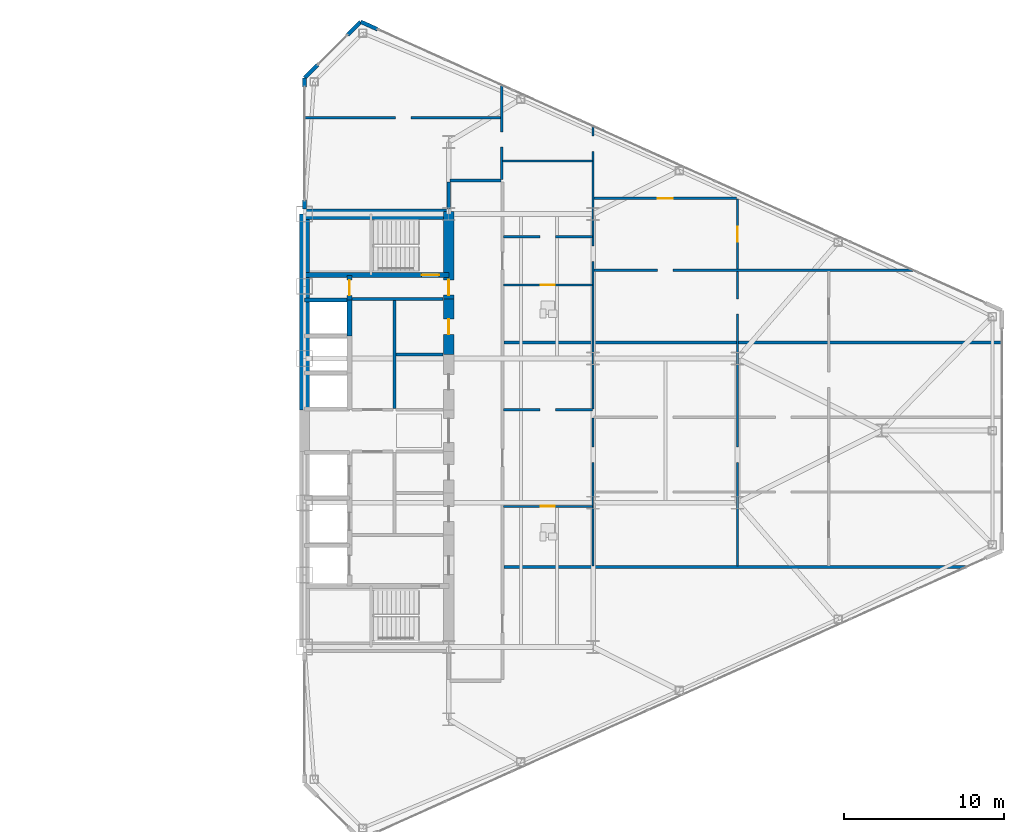
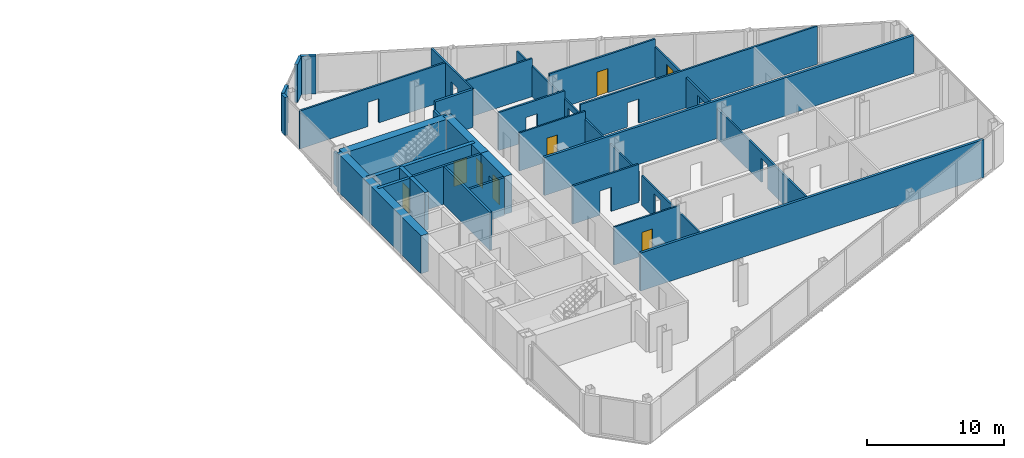
# One storey, part 23 of 27: 32 walls, 8 doors, 18 openings.
"""IFC4 building model written with IfcOpenShell, lengths in metres."""

from ifc_helpers import new_model, si_unit, direction, frame, frame_2d, origin, place, context, subcontext, project, spatial, rectangle, extrude, source, transform, mapped, material, layer, layer_set, type_object, type_shapes, element, fill, save


model = new_model("IFC4")

# Units and contexts
model_context = context("Model", 3, precision=1e-05, world=origin(), true_north=direction((0.0, 1.0)))
body_context = subcontext(model_context, "Body", "Model", "MODEL_VIEW")
ifc_project = project(units=[si_unit("LENGTHUNIT", "METRE"), si_unit("AREAUNIT", "SQUARE_METRE"), si_unit("VOLUMEUNIT", "CUBIC_METRE"), si_unit("PLANEANGLEUNIT", "RADIAN"), si_unit("MASSUNIT", "GRAM", prefix="KILO")], contexts=[model_context])

# Site, building, storey
site_placement = place(None, origin())
site = spatial("IfcSite", under=ifc_project, at=site_placement, CompositionType="ELEMENT")
building_placement = place(site_placement, origin())
building = spatial("IfcBuilding", under=site, at=building_placement, Name="Seokmaru Belvedere", CompositionType="ELEMENT")
storey_placement = place(building_placement, frame((0.0, 0.0, 69.300048828125)))
storey = spatial("IfcBuildingStorey", under=building, at=storey_placement, Name="L18", CompositionType="ELEMENT", Elevation=69.300048828125)

# Wall, opening
ifc_material_1 = material(Name="Fire-Rated Gypsum Shaftwall")
ifc_layer_1 = layer(ifc_material_1, 0.14990234375)
ifc_layer_set_1 = layer_set([ifc_layer_1], Name="Fire-Rated Gypsum Shaftwall")
wall_type_1 = type_object("IfcWallType", Name="Apartment Fire-Acoustic Room Partition 150", PredefinedType="PARTITIONING", material=ifc_layer_set_1)
wall_1_placement = place(storey_placement, frame((39.89990234375, 1.300048828125, 0.0), z_axis=(0.0, 0.0, 1.0), x_axis=(1.0, 0.0, 0.0)))
wall_1 = element("IfcWall", 1, at=wall_1_placement, inside=storey, type_object=wall_type_1, Name="L18 Interior Partition 016", PredefinedType="PARTITIONING", context=body_context, shape_type="SweptSolid", body=[
    extrude(rectangle(XDim=5.550048828125, YDim=0.14990234375, at=frame_2d((2.77490234375, 0.0))), origin(), (0.0, 0.0, 1.0), 3.3798828125),
])
opening_1_placement = place(wall_1_placement, frame((2.300048828125, 0.0, 0.0)))
element("IfcOpeningElement", 2, at=opening_1_placement, cuts=wall_1, Name="L18 Cased Opening 036", PredefinedType="OPENING", context=body_context, shape_type="SweptSolid", body=[
    extrude(rectangle(XDim=0.949951171875, YDim=2.14990234375, at=frame_2d((0.47509765625, 1.074951171875))), frame((0.0, 0.0849609375, 0.0), z_axis=(0.0, -1.0, 0.0), x_axis=(1.0, 0.0, 0.0)), (0.0, 0.0, 1.0), 0.169921875),
])

wall_2_placement = place(storey_placement, frame((45.550048828125, 9.989990234375, 0.0), z_axis=(0.0, 0.0, 1.0), x_axis=(1.0, 0.0, 0.0)))
wall_2 = element("IfcWall", 3, at=wall_2_placement, inside=storey, type_object=wall_type_1, Name="L18 Interior Partition 022", PredefinedType="PARTITIONING", context=body_context, shape_type="SweptSolid", body=[
    extrude(rectangle(XDim=19.947998046875, YDim=0.14990234375, at=frame_2d((9.97412109375, 0.0))), origin(), (0.0, 0.0, 1.0), 3.3798828125),
])
opening_2_placement = place(wall_2_placement, frame((3.97509765625, 0.0, 0.0)))
element("IfcOpeningElement", 4, at=opening_2_placement, cuts=wall_2, Name="L18 Cased Opening 051", PredefinedType="OPENING", context=body_context, shape_type="SweptSolid", body=[
    extrude(rectangle(XDim=0.949951171875, YDim=2.14990234375, at=frame_2d((0.47509765625, 1.074951171875))), frame((0.0, 0.0849609375, 0.0), z_axis=(0.0, -1.0, 0.0), x_axis=(1.0, 0.0, 0.0)), (0.0, 0.0, 1.0), 0.169921875),
])

wall_3_placement = place(storey_placement, frame((39.89990234375, 12.080078125, 0.0), z_axis=(0.0, 0.0, 1.0), x_axis=(1.0, 0.0, 0.0)))
wall_3 = element("IfcWall", 5, at=wall_3_placement, inside=storey, type_object=wall_type_1, Name="L18 Interior Partition 024", PredefinedType="PARTITIONING", context=body_context, shape_type="SweptSolid", body=[
    extrude(rectangle(XDim=5.550048828125, YDim=0.14990234375, at=frame_2d((2.77490234375, 0.0))), origin(), (0.0, 0.0, 1.0), 3.3798828125),
])
opening_3_placement = place(wall_3_placement, frame((2.300048828125, 0.0, 0.0)))
element("IfcOpeningElement", 6, at=opening_3_placement, cuts=wall_3, Name="L18 Cased Opening 048", PredefinedType="OPENING", context=body_context, shape_type="SweptSolid", body=[
    extrude(rectangle(XDim=0.949951171875, YDim=2.14990234375, at=frame_2d((0.47509765625, 1.074951171875))), frame((0.0, 0.0849609375, 0.0), z_axis=(0.0, -1.0, 0.0), x_axis=(1.0, 0.0, 0.0)), (0.0, 0.0, 1.0), 0.169921875),
])

# Wall, opening, door
wall_4_placement = place(storey_placement, frame((45.550048828125, 14.47998046875, 0.0), z_axis=(0.0, 0.0, 1.0), x_axis=(1.0, 0.0, 0.0)))
wall_4 = element("IfcWall", 7, at=wall_4_placement, inside=storey, type_object=wall_type_1, Name="L18 Interior Partition 026", PredefinedType="PARTITIONING", context=body_context, shape_type="SweptSolid", body=[
    extrude(rectangle(XDim=8.89990234375, YDim=0.14990234375, at=frame_2d((4.449951171875, 0.0))), origin(), (0.0, 0.0, 1.0), 3.3798828125),
])
opening_4_placement = place(wall_4_placement, frame((3.97509765625, 0.0, 0.0)))
opening_4 = element("IfcOpeningElement", 8, at=opening_4_placement, cuts=wall_4, Name="Opening D05", PredefinedType="OPENING", context=body_context, shape_type="SweptSolid", body=[
    extrude(rectangle(XDim=0.949951171875, YDim=2.14990234375, at=frame_2d((0.47509765625, 1.074951171875))), frame((0.0, 0.0849609375, 0.0), z_axis=(0.0, -1.0, 0.0), x_axis=(1.0, 0.0, 0.0)), (0.0, 0.0, 1.0), 0.169921875),
])
ifc_material_2 = material(Name="Engineered White Oak Timber", Category="wood")
door_type_1 = type_object("IfcDoorType", Name="Apartment Interior Fire-Rated Oak Door 950x2150", OperationType="NOTDEFINED", PredefinedType="DOOR", material=ifc_material_2)
shared_shape_1 = source(origin(), body_context, "Body", "SweptSolid", [
    extrude(rectangle(XDim=0.949951171875, YDim=2.14990234375, at=frame_2d((0.47509765625, 1.074951171875))), frame((0.0, 0.02490234375, 0.0), z_axis=(0.0, -1.0, 0.0), x_axis=(1.0, 0.0, 0.0)), (0.0, 0.0, 1.0), 0.050048828125),
])
type_shapes(door_type_1, [shared_shape_1])
door_1_placement = place(opening_4_placement, origin())
door_1 = element("IfcDoor", 9, at=door_1_placement, inside=storey, type_object=door_type_1, Name="L18 Interior Door 052", OperationType="SINGLE_SWING_LEFT", OverallHeight=2.14990234375, OverallWidth=0.949951171875, PredefinedType="DOOR", context=body_context, shape_type="MappedRepresentation", body=[
    mapped(shared_shape_1, transform((0.0, 0.0, 0.0), scale=1.0)),
])
fill(opening_4, door_1)

# Wall
wall_5_placement = place(storey_placement, frame((39.85009765625, 16.81005859375, 0.0), z_axis=(0.0, 0.0, 1.0), x_axis=(1.0, 0.0, 0.0)))
element("IfcWall", 10, at=wall_5_placement, inside=storey, type_object=wall_type_1, Name="L18 Interior Partition 029", PredefinedType="PARTITIONING", context=body_context, shape_type="SweptSolid", body=[
    extrude(rectangle(XDim=5.599853515625, YDim=0.14990234375, at=frame_2d((2.7998046875, 0.0))), origin(), (0.0, 0.0, 1.0), 3.3798828125),
])

# Wall, opening
wall_6_placement = place(storey_placement, frame((27.465087890625, 19.5, 0.0), z_axis=(0.0, 0.0, 1.0), x_axis=(1.0, 0.0, 0.0)))
wall_6 = element("IfcWall", 11, at=wall_6_placement, inside=storey, type_object=wall_type_1, Name="L18 Interior Partition 032", PredefinedType="PARTITIONING", context=body_context, shape_type="SweptSolid", body=[
    extrude(rectangle(XDim=12.284912109375, YDim=0.14990234375, at=frame_2d((6.142578125, 0.0))), origin(), (0.0, 0.0, 1.0), 3.3798828125),
])
opening_5_placement = place(wall_6_placement, frame((5.7099609375, 0.0, 0.0)))
element("IfcOpeningElement", 12, at=opening_5_placement, cuts=wall_6, Name="L18 Cased Opening 057", PredefinedType="OPENING", context=body_context, shape_type="SweptSolid", body=[
    extrude(rectangle(XDim=0.949951171875, YDim=2.14990234375, at=frame_2d((0.47509765625, 1.074951171875))), frame((0.0, 0.0849609375, 0.0), z_axis=(0.0, -1.0, 0.0), x_axis=(1.0, 0.0, 0.0)), (0.0, 0.0, 1.0), 0.169921875),
])

wall_7_placement = place(storey_placement, frame((39.800048828125, 15.64990234375, 0.0), z_axis=(0.0, 0.0, 1.0), x_axis=(0.0, 1.0, 0.0)))
wall_7 = element("IfcWall", 13, at=wall_7_placement, inside=storey, type_object=wall_type_1, Name="L18 Interior Partition 045", PredefinedType="PARTITIONING", context=body_context, shape_type="SweptSolid", body=[
    extrude(rectangle(XDim=5.925048828125, YDim=0.14990234375, at=frame_2d((2.96240234375, 0.0))), origin(), (0.0, 0.0, 1.0), 3.3798828125),
])
opening_6_placement = place(wall_7_placement, frame((2.029296875, 0.0, 0.0)))
element("IfcOpeningElement", 14, at=opening_6_placement, cuts=wall_7, Name="L18 Cased Opening 056", PredefinedType="OPENING", context=body_context, shape_type="SweptSolid", body=[
    extrude(rectangle(XDim=0.949951171875, YDim=2.14990234375, at=frame_2d((0.47509765625, 1.074951171875))), frame((0.0, 0.0849609375, 0.0), z_axis=(0.0, -1.0, 0.0), x_axis=(1.0, 0.0, 0.0)), (0.0, 0.0, 1.0), 0.169921875),
])

# Wall, openings, door
wall_8_placement = place(storey_placement, frame((54.5, -8.449951171875, 0.0), z_axis=(0.0, 0.0, 1.0), x_axis=(0.0, 1.0, 0.0)))
wall_8 = element("IfcWall", 15, at=wall_8_placement, inside=storey, type_object=wall_type_1, Name="L18 Interior Partition 049", PredefinedType="PARTITIONING", context=body_context, shape_type="SweptSolid", body=[
    extrude(rectangle(XDim=22.883056640625, YDim=0.14990234375, at=frame_2d((11.44140625, 0.0))), origin(), (0.0, 0.0, 1.0), 2.679931640625),
])
opening_7_placement = place(wall_8_placement, frame((6.47509765625, 0.0, 0.0)))
element("IfcOpeningElement", 16, at=opening_7_placement, cuts=wall_8, Name="L18 Cased Opening 038", PredefinedType="OPENING", context=body_context, shape_type="SweptSolid", body=[
    extrude(rectangle(XDim=0.949951171875, YDim=2.14990234375, at=frame_2d((0.47509765625, 1.074951171875))), frame((0.0, 0.0849609375, 0.0), z_axis=(0.0, -1.0, 0.0), x_axis=(1.0, 0.0, 0.0)), (0.0, 0.0, 1.0), 0.169921875),
])
opening_8_placement = place(wall_8_placement, frame((20.21240234375, 0.0, 0.0)))
opening_8 = element("IfcOpeningElement", 17, at=opening_8_placement, cuts=wall_8, Name="Opening D05", PredefinedType="OPENING", context=body_context, shape_type="SweptSolid", body=[
    extrude(rectangle(XDim=0.949951171875, YDim=2.14990234375, at=frame_2d((0.47509765625, 1.074951171875))), frame((0.0, 0.0849609375, 0.0), z_axis=(0.0, -1.0, 0.0), x_axis=(1.0, 0.0, 0.0)), (0.0, 0.0, 1.0), 0.169921875),
])
opening_9_placement = place(wall_8_placement, frame((15.720947265625, 0.0, 0.0)))
element("IfcOpeningElement", 18, at=opening_9_placement, cuts=wall_8, Name="L18 Cased Opening 053", PredefinedType="OPENING", context=body_context, shape_type="SweptSolid", body=[
    extrude(rectangle(XDim=0.949951171875, YDim=2.14990234375, at=frame_2d((0.47509765625, 1.074951171875))), frame((0.0, 0.0849609375, 0.0), z_axis=(0.0, -1.0, 0.0), x_axis=(1.0, 0.0, 0.0)), (0.0, 0.0, 1.0), 0.169921875),
])
door_2_placement = place(opening_8_placement, origin())
door_2 = element("IfcDoor", 19, at=door_2_placement, inside=storey, type_object=door_type_1, Name="L18 Interior Door 050", OperationType="SINGLE_SWING_LEFT", OverallHeight=2.14990234375, OverallWidth=0.949951171875, PredefinedType="DOOR", context=body_context, shape_type="MappedRepresentation", body=[
    mapped(shared_shape_1, transform((0.0, 0.0, 0.0), scale=1.0)),
])
fill(opening_8, door_2)

# Walls
ifc_layer_2 = layer(ifc_material_1, 0.179931640625)
ifc_layer_set_2 = layer_set([ifc_layer_2], Name="Fire-Rated Gypsum Shaftwall")
wall_type_2 = type_object("IfcWallType", Name="Core Service Fire Partition 180", PredefinedType="PARTITIONING", material=ifc_layer_set_2)
wall_9_placement = place(storey_placement, frame((30.449951171875, 8.199951171875, 0.0), z_axis=(0.0, 0.0, 1.0), x_axis=(1.0, 0.0, 0.0)))
element("IfcWall", 20, at=wall_9_placement, inside=storey, type_object=wall_type_2, Name="L18 East Smokeproof Vestibule Partition", PredefinedType="PARTITIONING", context=body_context, shape_type="SweptSolid", body=[
    extrude(rectangle(XDim=5.699951171875, YDim=0.179931640625, at=frame_2d((2.85009765625, 0.0))), origin(), (0.0, 0.0, 1.0), 3.3798828125),
])
wall_10_placement = place(storey_placement, frame((33.10009765625, 1.3798828125, 0.0), z_axis=(0.0, 0.0, 1.0), x_axis=(0.0, 1.0, 0.0)))
element("IfcWall", 21, at=wall_10_placement, inside=storey, type_object=wall_type_2, Name="L18 East North Core Service Back Wall", PredefinedType="PARTITIONING", context=body_context, shape_type="SweptSolid", body=[
    extrude(rectangle(XDim=6.740234375, YDim=0.179931640625, at=frame_2d((3.3701171875, 0.0))), origin(), (0.0, 0.0, 1.0), 3.3798828125),
])
wall_11_placement = place(storey_placement, frame((33.199951171875, 4.75, 0.0), z_axis=(0.0, 0.0, 1.0), x_axis=(1.0, 0.0, 0.0)))
element("IfcWall", 22, at=wall_11_placement, inside=storey, type_object=wall_type_2, Name="L18 East Core Service Partition 2", PredefinedType="PARTITIONING", context=body_context, shape_type="SweptSolid", body=[
    extrude(rectangle(XDim=2.949951171875, YDim=0.179931640625, at=frame_2d((1.47509765625, 0.0))), origin(), (0.0, 0.0, 1.0), 3.3798828125),
])
ifc_material_3 = material(Name="Concrete C50 (50 MPa)", Category="concrete")
ifc_layer_3 = layer(ifc_material_3, 0.25)
ifc_layer_set_3 = layer_set([ifc_layer_3], Name="Concrete C50 (50 MPa)")
wall_type_3 = type_object("IfcWallType", Name="Hoistway Transverse Concrete Divider Wall 250", PredefinedType="SHEAR", material=ifc_layer_set_3)
wall_12_placement = place(storey_placement, frame((27.5, 8.14990234375, 0.0), z_axis=(0.0, 0.0, 1.0), x_axis=(1.0, 0.0, 0.0)))
element("IfcWall", 23, at=wall_12_placement, inside=storey, type_object=wall_type_3, Name="L18 East Hoistway Divider Core Wall 7", PredefinedType="SHEAR", context=body_context, shape_type="SweptSolid", body=[
    extrude(rectangle(XDim=2.800048828125, YDim=0.25, at=frame_2d((1.39990234375, 0.0))), origin(), (0.0, 0.0, 1.0), 3.3798828125),
])
ifc_layer_4 = layer(ifc_material_1, 0.199951171875)
ifc_layer_set_4 = layer_set([ifc_layer_4], Name="Fire-Rated Gypsum Shaftwall")
wall_type_4 = type_object("IfcWallType", Name="Inter-Tenancy Fire Compartment Partition 200", PredefinedType="PARTITIONING", material=ifc_layer_set_4)
wall_13_placement = place(storey_placement, frame((39.929931640625, -8.5, 0.0), z_axis=(0.0, 0.0, 1.0), x_axis=(1.0, 0.0, 0.0)))
element("IfcWall", 24, at=wall_13_placement, inside=storey, type_object=wall_type_4, Name="L18 Interior Partition 008", PredefinedType="PARTITIONING", context=body_context, shape_type="SweptSolid", body=[
    extrude(rectangle(XDim=28.860107421875, YDim=0.199951171875, at=frame_2d((14.43017578125, 0.0))), origin(), (0.0, 0.0, 1.0), 3.3798828125),
])
wall_14_placement = place(storey_placement, frame((39.929931640625, 5.5, 0.0), z_axis=(0.0, 0.0, 1.0), x_axis=(1.0, 0.0, 0.0)))
element("IfcWall", 25, at=wall_14_placement, inside=storey, type_object=wall_type_4, Name="L18 Interior Partition 018", PredefinedType="PARTITIONING", context=body_context, shape_type="SweptSolid", body=[
    extrude(rectangle(XDim=31.074951171875, YDim=0.199951171875, at=frame_2d((15.53759765625, 0.0))), origin(), (0.0, 0.0, 1.0), 3.3798828125),
])
wall_15_placement = place(storey_placement, frame((36.5849609375, 15.60009765625, 0.0), z_axis=(0.0, 0.0, 1.0), x_axis=(1.0, 0.0, 0.0)))
element("IfcWall", 26, at=wall_15_placement, inside=storey, type_object=wall_type_4, Name="L18 Interior Partition 028", PredefinedType="PARTITIONING", context=body_context, shape_type="SweptSolid", body=[
    extrude(rectangle(XDim=3.179931640625, YDim=0.199951171875, at=frame_2d((1.58984375, 0.0))), origin(), (0.0, 0.0, 1.0), 3.3798828125),
])
wall_16_placement = place(storey_placement, frame((36.5, 13.830078125, 0.0), z_axis=(0.0, 0.0, 1.0), x_axis=(0.0, 1.0, 0.0)))
element("IfcWall", 27, at=wall_16_placement, inside=storey, type_object=wall_type_4, Name="L18 Interior Partition 044", PredefinedType="PARTITIONING", context=body_context, shape_type="SweptSolid", body=[
    extrude(rectangle(XDim=1.684814453125, YDim=0.199951171875, at=frame_2d((0.84228515625, 0.0))), origin(), (0.0, 0.0, 1.0), 2.679931640625),
])

# Wall, opening, door
ifc_layer_5 = layer(ifc_material_3, 0.300048828125)
ifc_layer_set_5 = layer_set([ifc_layer_5], Name="Concrete C50 (50 MPa)")
wall_type_5 = type_object("IfcWallType", Name="Internal Core Stair and Hoistway Wall 300", PredefinedType="SHEAR", material=ifc_layer_set_5)
wall_17_placement = place(storey_placement, frame((27.5, 9.699951171875, 0.0), z_axis=(0.0, 0.0, 1.0), x_axis=(1.0, 0.0, 0.0)))
wall_17 = element("IfcWall", 28, at=wall_17_placement, inside=storey, type_object=wall_type_5, Name="L18 East Stair ST-2 Enclosure Wall", PredefinedType="SHEAR", context=body_context, shape_type="SweptSolid", body=[
    extrude(rectangle(XDim=9.0, YDim=0.300048828125, at=frame_2d((4.5, 0.0))), origin(), (0.0, 0.0, 1.0), 3.3798828125),
])
opening_10_placement = place(wall_17_placement, frame((7.300048828125, 0.0, 0.0)))
opening_10 = element("IfcOpeningElement", 29, at=opening_10_placement, cuts=wall_17, Name="Opening D01", PredefinedType="OPENING", context=body_context, shape_type="SweptSolid", body=[
    extrude(rectangle(XDim=1.10009765625, YDim=2.199951171875, at=frame_2d((0.550048828125, 1.10009765625))), frame((0.0, 0.16015625, 0.0), z_axis=(0.0, -1.0, 0.0), x_axis=(1.0, 0.0, 0.0)), (0.0, 0.0, 1.0), 0.320068359375),
])
ifc_material_4 = material(Name="Fire-Rated Steel Leaf", Category="steel")
door_type_2 = type_object("IfcDoorType", Name="Special Escape Stair Smokeproof Fire Door 1100x2200", OperationType="NOTDEFINED", PredefinedType="DOOR", material=ifc_material_4)
shared_shape_2 = source(origin(), body_context, "Body", "SweptSolid", [
    extrude(rectangle(XDim=1.10009765625, YDim=2.199951171875, at=frame_2d((0.550048828125, 1.10009765625))), frame((0.0, 0.02490234375, 0.0), z_axis=(0.0, -1.0, 0.0), x_axis=(1.0, 0.0, 0.0)), (0.0, 0.0, 1.0), 0.050048828125),
])
type_shapes(door_type_2, [shared_shape_2])
door_3_placement = place(opening_10_placement, origin())
door_3 = element("IfcDoor", 30, at=door_3_placement, inside=storey, type_object=door_type_2, Name="L18 East Special Escape Stair ST-2 Door", OperationType="SINGLE_SWING_LEFT", OverallHeight=2.199951171875, OverallWidth=1.10009765625, PredefinedType="DOOR", context=body_context, shape_type="MappedRepresentation", body=[
    mapped(shared_shape_2, transform((0.0, 0.0, 0.0), scale=1.0)),
])
fill(opening_10, door_3)

# Wall
wall_18_placement = place(storey_placement, frame((30.300048828125, 5.89990234375, 0.0), z_axis=(0.0, 0.0, 1.0), x_axis=(0.0, 1.0, 0.0)))
element("IfcWall", 31, at=wall_18_placement, inside=storey, type_object=wall_type_5, Name="L18 East North Hoistway Wall OBS", PredefinedType="SHEAR", context=body_context, shape_type="SweptSolid", body=[
    extrude(rectangle(XDim=2.25, YDim=0.300048828125, at=frame_2d((1.125, 0.0))), origin(), (0.0, 0.0, 1.0), 3.3798828125),
])

# Wall, opening, door
wall_19_placement = place(storey_placement, frame((30.300048828125, 8.14990234375, 0.0), z_axis=(0.0, 0.0, 1.0), x_axis=(0.0, 1.0, 0.0)))
wall_19 = element("IfcWall", 32, at=wall_19_placement, inside=storey, type_object=wall_type_5, Name="L18 East Electrical Riser Front Wall", PredefinedType="SHEAR", context=body_context, shape_type="SweptSolid", body=[
    extrude(rectangle(XDim=1.530029296875, YDim=0.300048828125, at=frame_2d((0.76513671875, 0.0))), origin(), (0.0, 0.0, 1.0), 3.3798828125),
])
opening_11_placement = place(wall_19_placement, frame((0.284912109375, 0.0, 0.0)))
opening_11 = element("IfcOpeningElement", 33, at=opening_11_placement, cuts=wall_19, Name="Opening D04", PredefinedType="OPENING", context=body_context, shape_type="SweptSolid", body=[
    extrude(rectangle(XDim=0.949951171875, YDim=2.14990234375, at=frame_2d((0.47509765625, 1.074951171875))), frame((0.0, 0.16015625, 0.0), z_axis=(0.0, -1.0, 0.0), x_axis=(1.0, 0.0, 0.0)), (0.0, 0.0, 1.0), 0.320068359375),
])
door_type_3 = type_object("IfcDoorType", Name="Core Service Room Fire Door 950x2150", OperationType="NOTDEFINED", PredefinedType="DOOR", material=ifc_material_4)
shared_shape_3 = source(origin(), body_context, "Body", "SweptSolid", [
    extrude(rectangle(XDim=0.949951171875, YDim=2.14990234375, at=frame_2d((0.47509765625, 1.074951171875))), frame((0.0, 0.02490234375, 0.0), z_axis=(0.0, -1.0, 0.0), x_axis=(1.0, 0.0, 0.0)), (0.0, 0.0, 1.0), 0.050048828125),
])
type_shapes(door_type_3, [shared_shape_3])
door_4_placement = place(opening_11_placement, origin())
door_4 = element("IfcDoor", 34, at=door_4_placement, inside=storey, type_object=door_type_3, Name="L18 East Electrical Riser Access Door", OperationType="SINGLE_SWING_RIGHT", OverallHeight=2.14990234375, OverallWidth=0.949951171875, PredefinedType="DOOR", context=body_context, shape_type="MappedRepresentation", body=[
    mapped(shared_shape_3, transform((0.0, 0.0, 0.0), scale=1.0)),
])
fill(opening_11, door_4)

# Walls
ifc_material_5 = material(Name="Concrete C60 (60 MPa)", Category="concrete")
ifc_layer_6 = layer(ifc_material_5, 0.64990234375)
ifc_layer_set_6 = layer_set([ifc_layer_6], Name="Concrete C60 (60 MPa)")
wall_type_6 = type_object("IfcWallType", Name="Mid-Low Reinforced Concrete Core Wall 650", PredefinedType="SHEAR", material=ifc_layer_set_6)
wall_20_placement = place(storey_placement, frame((27.5, 1.300048828125, 0.0), z_axis=(0.0, 0.0, 1.0), x_axis=(0.0, 1.0, 0.0)))
element("IfcWall", 35, at=wall_20_placement, inside=storey, type_object=wall_type_6, Name="L18 East Portal Spine Core Wall North", PredefinedType="SHEAR", context=body_context, shape_type="SweptSolid", body=[
    extrude(rectangle(XDim=12.199951171875, YDim=0.64990234375, at=frame_2d((6.10009765625, 0.0))), origin(), (0.0, 0.0, 1.0), 3.3798828125),
])
wall_21_placement = place(storey_placement, frame((27.5, 13.5, 0.0), z_axis=(0.0, 0.0, 1.0), x_axis=(1.0, 0.0, 0.0)))
element("IfcWall", 36, at=wall_21_placement, inside=storey, type_object=wall_type_6, Name="L18 East North Core Wall", PredefinedType="SHEAR", context=body_context, shape_type="SweptSolid", body=[
    extrude(rectangle(XDim=9.0, YDim=0.64990234375, at=frame_2d((4.5, 0.0))), origin(), (0.0, 0.0, 1.0), 3.3798828125),
])

# Wall, opening, door
wall_22_placement = place(storey_placement, frame((36.5, 8.199951171875, 0.0), z_axis=(0.0, 0.0, 1.0), x_axis=(0.0, 1.0, 0.0)))
wall_22 = element("IfcWall", 37, at=wall_22_placement, inside=storey, type_object=wall_type_6, Name="L18 East West Core Wall VST", PredefinedType="SHEAR", context=body_context, shape_type="SweptSolid", body=[
    extrude(rectangle(XDim=5.449951171875, YDim=0.64990234375, at=frame_2d((2.72509765625, 0.0))), origin(), (0.0, 0.0, 1.0), 3.3798828125),
])
opening_12_placement = place(wall_22_placement, frame((0.2451171875, 0.0, 0.0)))
opening_12 = element("IfcOpeningElement", 38, at=opening_12_placement, cuts=wall_22, Name="Opening D04", PredefinedType="OPENING", context=body_context, shape_type="SweptSolid", body=[
    extrude(rectangle(XDim=0.949951171875, YDim=2.14990234375, at=frame_2d((0.47509765625, 1.074951171875))), frame((0.0, 0.3349609375, 0.0), z_axis=(0.0, -1.0, 0.0), x_axis=(1.0, 0.0, 0.0)), (0.0, 0.0, 1.0), 0.669921875),
])
door_5_placement = place(opening_12_placement, origin())
door_5 = element("IfcDoor", 39, at=door_5_placement, inside=storey, type_object=door_type_3, Name="L18 East Smokeproof Vestibule Door", OperationType="SINGLE_SWING_LEFT", OverallHeight=2.14990234375, OverallWidth=0.949951171875, PredefinedType="DOOR", context=body_context, shape_type="MappedRepresentation", body=[
    mapped(shared_shape_3, transform((0.0, 0.0, 0.0), scale=1.0)),
])
fill(opening_12, door_5)

wall_23_placement = place(storey_placement, frame((36.5, 4.75, 0.0), z_axis=(0.0, 0.0, 1.0), x_axis=(0.0, 1.0, 0.0)))
wall_23 = element("IfcWall", 40, at=wall_23_placement, inside=storey, type_object=wall_type_6, Name="L18 East West Core Wall CS4", PredefinedType="SHEAR", context=body_context, shape_type="SweptSolid", body=[
    extrude(rectangle(XDim=3.449951171875, YDim=0.64990234375, at=frame_2d((1.72509765625, 0.0))), origin(), (0.0, 0.0, 1.0), 3.3798828125),
])
opening_13_placement = place(wall_23_placement, frame((1.25, 0.0, 0.0)))
opening_13 = element("IfcOpeningElement", 41, at=opening_13_placement, cuts=wall_23, Name="Opening D04", PredefinedType="OPENING", context=body_context, shape_type="SweptSolid", body=[
    extrude(rectangle(XDim=0.949951171875, YDim=2.14990234375, at=frame_2d((0.47509765625, 1.074951171875))), frame((0.0, 0.3349609375, 0.0), z_axis=(0.0, -1.0, 0.0), x_axis=(1.0, 0.0, 0.0)), (0.0, 0.0, 1.0), 0.669921875),
])
door_6_placement = place(opening_13_placement, origin())
door_6 = element("IfcDoor", 42, at=door_6_placement, inside=storey, type_object=door_type_3, Name="L18 East Core Service Room Door 4", OperationType="SINGLE_SWING_LEFT", OverallHeight=2.14990234375, OverallWidth=0.949951171875, PredefinedType="DOOR", context=body_context, shape_type="MappedRepresentation", body=[
    mapped(shared_shape_3, transform((0.0, 0.0, 0.0), scale=1.0)),
])
fill(opening_13, door_6)

ifc_layer_7 = layer(ifc_material_1, 0.1298828125)
ifc_layer_set_7 = layer_set([ifc_layer_7], Name="Fire-Rated Gypsum Shaftwall")
wall_type_7 = type_object("IfcWallType", Name="Moisture-Resistant Fire-Rated Bathroom Partition 130", PredefinedType="PARTITIONING", material=ifc_layer_set_7)
wall_24_placement = place(storey_placement, frame((39.89990234375, -4.719970703125, 0.0), z_axis=(0.0, 0.0, 1.0), x_axis=(1.0, 0.0, 0.0)))
wall_24 = element("IfcWall", 43, at=wall_24_placement, inside=storey, type_object=wall_type_7, Name="L18 Interior Partition 011", PredefinedType="PARTITIONING", context=body_context, shape_type="SweptSolid", body=[
    extrude(rectangle(XDim=5.550048828125, YDim=0.1298828125, at=frame_2d((2.77490234375, 0.0))), origin(), (0.0, 0.0, 1.0), 3.3798828125),
])
opening_14_placement = place(wall_24_placement, frame((2.3349609375, 0.0, 0.0)))
opening_14 = element("IfcOpeningElement", 44, at=opening_14_placement, cuts=wall_24, Name="Opening D06", PredefinedType="OPENING", context=body_context, shape_type="SweptSolid", body=[
    extrude(rectangle(XDim=0.8798828125, YDim=2.10009765625, at=frame_2d((0.43994140625, 1.050048828125))), frame((0.0, 0.074951171875, 0.0), z_axis=(0.0, -1.0, 0.0), x_axis=(1.0, 0.0, 0.0)), (0.0, 0.0, 1.0), 0.14990234375),
])
door_type_4 = type_object("IfcDoorType", Name="Bathroom and Restroom Fire-Rated Door 880x2100", OperationType="NOTDEFINED", PredefinedType="DOOR", material=ifc_material_2)
shared_shape_4 = source(origin(), body_context, "Body", "SweptSolid", [
    extrude(rectangle(XDim=0.8798828125, YDim=2.10009765625, at=frame_2d((0.43994140625, 1.050048828125))), frame((0.0, 0.02490234375, 0.0), z_axis=(0.0, -1.0, 0.0), x_axis=(1.0, 0.0, 0.0)), (0.0, 0.0, 1.0), 0.050048828125),
])
type_shapes(door_type_4, [shared_shape_4])
door_7_placement = place(opening_14_placement, origin())
door_7 = element("IfcDoor", 45, at=door_7_placement, inside=storey, type_object=door_type_4, Name="L18 Interior Door 035", OperationType="SINGLE_SWING_RIGHT", OverallHeight=2.10009765625, OverallWidth=0.8798828125, PredefinedType="DOOR", context=body_context, shape_type="MappedRepresentation", body=[
    mapped(shared_shape_4, transform((0.0, 0.0, 0.0), scale=1.0)),
])
fill(opening_14, door_7)

wall_25_placement = place(storey_placement, frame((39.89990234375, 9.080078125, 0.0), z_axis=(0.0, 0.0, 1.0), x_axis=(1.0, 0.0, 0.0)))
wall_25 = element("IfcWall", 46, at=wall_25_placement, inside=storey, type_object=wall_type_7, Name="L18 Interior Partition 020", PredefinedType="PARTITIONING", context=body_context, shape_type="SweptSolid", body=[
    extrude(rectangle(XDim=5.550048828125, YDim=0.1298828125, at=frame_2d((2.77490234375, 0.0))), origin(), (0.0, 0.0, 1.0), 3.3798828125),
])
opening_15_placement = place(wall_25_placement, frame((2.3349609375, 0.0, 0.0)))
opening_15 = element("IfcOpeningElement", 47, at=opening_15_placement, cuts=wall_25, Name="Opening D06", PredefinedType="OPENING", context=body_context, shape_type="SweptSolid", body=[
    extrude(rectangle(XDim=0.8798828125, YDim=2.10009765625, at=frame_2d((0.43994140625, 1.050048828125))), frame((0.0, 0.074951171875, 0.0), z_axis=(0.0, -1.0, 0.0), x_axis=(1.0, 0.0, 0.0)), (0.0, 0.0, 1.0), 0.14990234375),
])
door_8_placement = place(opening_15_placement, origin())
door_8 = element("IfcDoor", 48, at=door_8_placement, inside=storey, type_object=door_type_4, Name="L18 Interior Door 047", OperationType="SINGLE_SWING_RIGHT", OverallHeight=2.10009765625, OverallWidth=0.8798828125, PredefinedType="DOOR", context=body_context, shape_type="MappedRepresentation", body=[
    mapped(shared_shape_4, transform((0.0, 0.0, 0.0), scale=1.0)),
])
fill(opening_15, door_8)

# Wall, opening
wall_26_placement = place(storey_placement, frame((45.5, -8.449951171875, 0.0), z_axis=(0.0, 0.0, 1.0), x_axis=(0.0, 1.0, 0.0)))
wall_26 = element("IfcWall", 49, at=wall_26_placement, inside=storey, type_object=wall_type_7, Name="L18 Interior Partition 047", PredefinedType="PARTITIONING", context=body_context, shape_type="SweptSolid", body=[
    extrude(rectangle(XDim=9.23291015625, YDim=0.1298828125, at=frame_2d((4.616455078125, 0.0))), origin(), (0.0, 0.0, 1.0), 2.679931640625),
])
opening_16_placement = place(wall_26_placement, frame((6.47509765625, 0.0, 0.0)))
element("IfcOpeningElement", 50, at=opening_16_placement, cuts=wall_26, Name="L18 Cased Opening 037", PredefinedType="OPENING", context=body_context, shape_type="SweptSolid", body=[
    extrude(rectangle(XDim=0.949951171875, YDim=2.14990234375, at=frame_2d((0.47509765625, 1.074951171875))), frame((0.0, 0.074951171875, 0.0), z_axis=(0.0, -1.0, 0.0), x_axis=(1.0, 0.0, 0.0)), (0.0, 0.0, 1.0), 0.14990234375),
])

# Wall, openings
wall_27_placement = place(storey_placement, frame((45.5, 1.35205078125, 0.0), z_axis=(0.0, 0.0, 1.0), x_axis=(0.0, 1.0, 0.0)))
wall_27 = element("IfcWall", 51, at=wall_27_placement, inside=storey, type_object=wall_type_7, Name="L18 Interior Partition 048", PredefinedType="PARTITIONING", context=body_context, shape_type="SweptSolid", body=[
    extrude(rectangle(XDim=17.657958984375, YDim=0.1298828125, at=frame_2d((8.8291015625, 0.0))), origin(), (0.0, 0.0, 1.0), 2.679931640625),
])
opening_17_placement = place(wall_27_placement, frame((9.20751953125, 0.0, 0.0)))
element("IfcOpeningElement", 52, at=opening_17_placement, cuts=wall_27, Name="L18 Cased Opening 049", PredefinedType="OPENING", context=body_context, shape_type="SweptSolid", body=[
    extrude(rectangle(XDim=0.949951171875, YDim=2.14990234375, at=frame_2d((0.47509765625, 1.074951171875))), frame((0.0, 0.074951171875, 0.0), z_axis=(0.0, -1.0, 0.0), x_axis=(1.0, 0.0, 0.0)), (0.0, 0.0, 1.0), 0.14990234375),
])
opening_18_placement = place(wall_27_placement, frame((16.06494140625, 0.0, 0.0)))
element("IfcOpeningElement", 53, at=opening_18_placement, cuts=wall_27, Name="L18 Cased Opening 055", PredefinedType="OPENING", context=body_context, shape_type="SweptSolid", body=[
    extrude(rectangle(XDim=0.949951171875, YDim=2.14990234375, at=frame_2d((0.47509765625, 1.074951171875))), frame((0.0, 0.074951171875, 0.0), z_axis=(0.0, -1.0, 0.0), x_axis=(1.0, 0.0, 0.0)), (0.0, 0.0, 1.0), 0.14990234375),
])

# Walls
ifc_material_6 = material(Name="Anodised Bronze Aluminium", Category="aluminium")
ifc_layer_8 = layer(ifc_material_6, 0.239990234375)
ifc_layer_set_8 = layer_set([ifc_layer_8], Name="Anodised Bronze Aluminium")
wall_type_8 = type_object("IfcWallType", Name="Tower Corner Spandrel Closure Wall 240", PredefinedType="SOLIDWALL", material=ifc_layer_set_8)
wall_28_placement = place(storey_placement, frame((32.048583984375, 25.028076171875, 0.0), z_axis=(0.0, 0.0, 1.0), x_axis=(-0.911929519623, 0.410346866979, 0.0)))
element("IfcWall", 54, at=wall_28_placement, inside=storey, type_object=wall_type_8, Name="L18 E Corner Closure Pier 3B", PredefinedType="SOLIDWALL", context=body_context, shape_type="SweptSolid", body=[
    extrude(rectangle(XDim=1.139892578125, YDim=0.239990234375, at=frame_2d((0.56982421875, 0.0))), origin(), (0.0, 0.0, 1.0), 3.3798828125),
])
for number, where, z_axis, x_axis, name in (
    (55, (30.992919921875, 25.492919921875, 0.0), (0.0, 0.0, 1.0), (-0.707106781187, -0.707106781187, 0.0), "L18 E Corner Closure Pier 4A"),
    (56, (28.313232421875, 22.813232421875, 0.0), (0.0, 0.0, 1.0), (-0.707106781187, -0.707106781187, 0.0), "L18 E Corner Closure Pier 4B"),
):
    element("IfcWall", number, at=place(storey_placement, frame(where, z_axis=z_axis, x_axis=x_axis)), inside=storey, type_object=wall_type_8, Name=name, PredefinedType="SOLIDWALL", context=body_context, shape_type="SweptSolid", body=[
        extrude(rectangle(XDim=1.14013671875, YDim=0.239990234375, at=frame_2d((0.570068359375, 0.0))), origin(), (0.0, 0.0, 1.0), 3.3798828125),
    ])
wall_29_placement = place(storey_placement, frame((27.5, 13.830078125, 0.0), z_axis=(0.0, 0.0, 1.0), x_axis=(0.0, 1.0, 0.0)))
element("IfcWall", 57, at=wall_29_placement, inside=storey, type_object=wall_type_8, Name="L18 E Spine Closure Pier 2A", PredefinedType="SOLIDWALL", context=body_context, shape_type="SweptSolid", body=[
    extrude(rectangle(XDim=0.5498046875, YDim=0.239990234375, at=frame_2d((0.27490234375, 0.0))), origin(), (0.0, 0.0, 1.0), 2.8798828125),
])
wall_30_placement = place(storey_placement, frame((27.5, 21.429931640625, 0.0), z_axis=(0.0, 0.0, 1.0), x_axis=(0.0, 1.0, 0.0)))
element("IfcWall", 58, at=wall_30_placement, inside=storey, type_object=wall_type_8, Name="L18 E Spine Closure Pier 2B", PredefinedType="SOLIDWALL", context=body_context, shape_type="SweptSolid", body=[
    extrude(rectangle(XDim=0.550048828125, YDim=0.239990234375, at=frame_2d((0.27490234375, 0.0))), origin(), (0.0, 0.0, 1.0), 3.3798828125),
])

save(model, "model.ifc")
